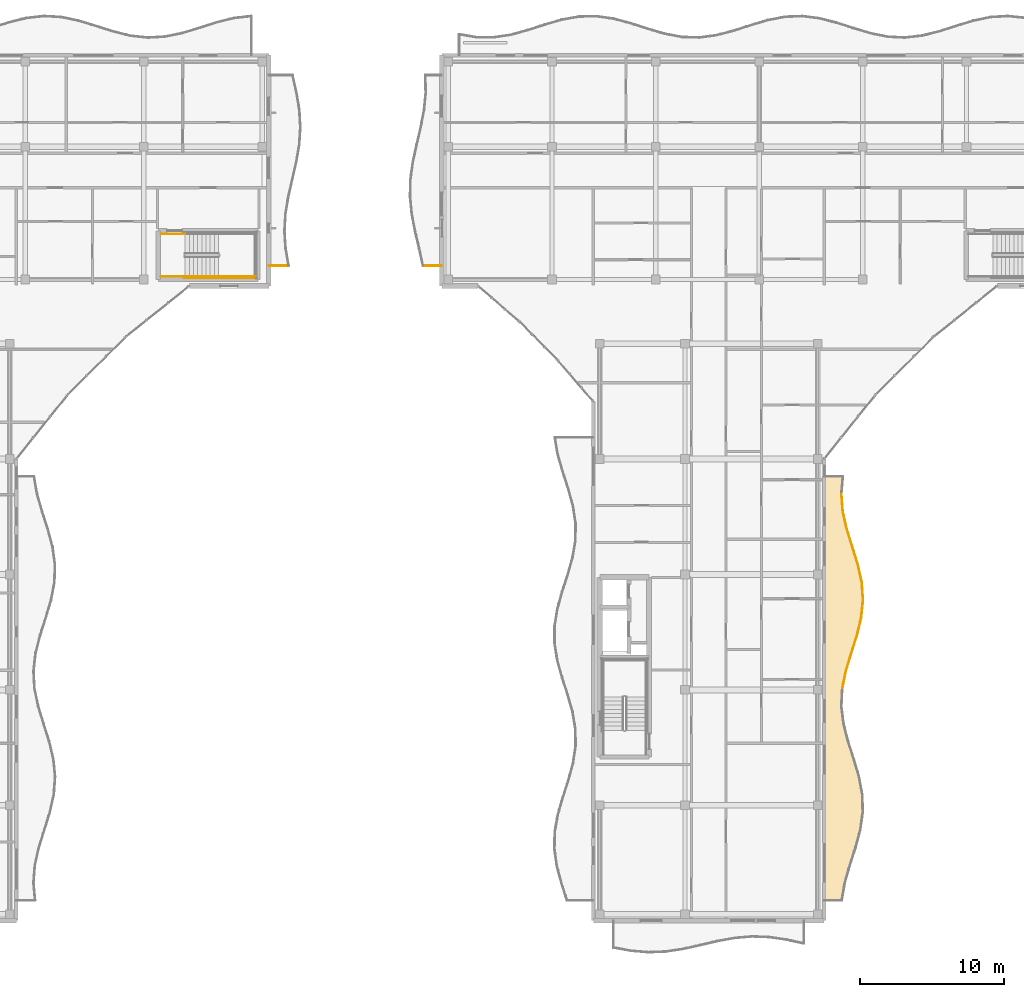
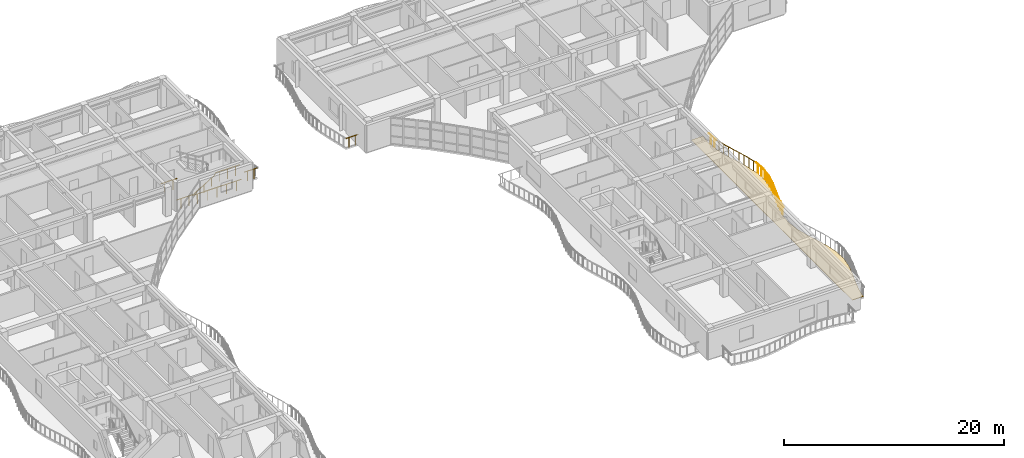
# One storey, part 64 of 76: 18 railings, 1 covering.
"""IFC4 building model written with IfcOpenShell, lengths in metres."""

from ifc_helpers import new_model, si_unit, direction, frame, origin, origin_2d, place, context, subcontext, project, spatial, polyline, circle, outline, extrude, material, layer, layer_set, type_object, element, save


model = new_model("IFC4")

# Units and contexts
model_context = context("Model", 3, precision=1e-05, world=origin(), true_north=direction((0.0, 1.0)))
body_context = subcontext(model_context, "Body", "Model", "MODEL_VIEW")
ifc_project = project(units=[si_unit("LENGTHUNIT", "METRE"), si_unit("AREAUNIT", "SQUARE_METRE"), si_unit("VOLUMEUNIT", "CUBIC_METRE"), si_unit("PLANEANGLEUNIT", "RADIAN"), si_unit("MASSUNIT", "GRAM", prefix="KILO")], contexts=[model_context])

# Site, building, storey
site_placement = place(None, origin())
site = spatial("IfcSite", under=ifc_project, at=site_placement, CompositionType="ELEMENT")
building_placement = place(site_placement, origin())
building = spatial("IfcBuilding", under=site, at=building_placement, Name="Keldmere Railside Commons", CompositionType="ELEMENT")
storey_placement = place(building_placement, frame((0.0, 0.0, 13.760009765625)))
storey = spatial("IfcBuildingStorey", under=building, at=storey_placement, Name="L04", CompositionType="ELEMENT", Elevation=13.760009765625)

# Railings
ifc_material_1 = material(Name="Steel F-24 (S235)", Category="steel")
railing_type_1 = type_object("IfcRailingType", Name="Balcony & Terrace Steel Balustrade 1100", PredefinedType="BALUSTRADE", material=ifc_material_1)
railing_1_placement = place(storey_placement, frame((81.5, 101.39990234375, 0.0)))
element("IfcRailing", 1, at=railing_1_placement, inside=storey, type_object=railing_type_1, Name="GR-1 GRD-L04-1267", PredefinedType="BALUSTRADE", context=body_context, shape_type="SweptSolid", body=[
    extrude(circle(Radius=0.02392578125, at=origin_2d()), frame((0.0, 0.0, 1.076171875), z_axis=(1.0, 0.0, 0.0), x_axis=(0.0, 1.0, 0.0)), (0.0, 0.0, 1.0), 1.38232421875),
    extrude(circle(Radius=0.02099609375, at=origin_2d()), frame((0.345703125, 0.0, 0.0)), (0.0, 0.0, 1.0), 1.048095703125),
    extrude(circle(Radius=0.02099609375, at=origin_2d()), frame((1.03662109375, 0.0, 0.0)), (0.0, 0.0, 1.0), 1.048095703125),
])
railing_2_placement = place(storey_placement, frame((121.2646484375, 72.10009765625, 0.0)))
element("IfcRailing", 2, at=railing_2_placement, inside=storey, type_object=railing_type_1, Name="GR-1 GRD-L04-2287", PredefinedType="BALUSTRADE", context=body_context, shape_type="SweptSolid", body=[
    extrude(circle(Radius=0.02392578125, at=origin_2d()), frame((0.0, 0.0, 1.076171875), z_axis=(0.200732735089, 0.979646042744, 0.0), x_axis=(-0.979646042744, 0.200732735089, 0.0)), (0.0, 0.0, 1.0), 1.250244140625),
    extrude(circle(Radius=0.02099609375, at=origin_2d()), frame((0.062744140625, 0.30615234375, 0.0)), (0.0, 0.0, 1.0), 1.048095703125),
    extrude(circle(Radius=0.02099609375, at=origin_2d()), frame((0.188232421875, 0.918701171875, 0.0)), (0.0, 0.0, 1.0), 1.048095703125),
])
railing_3_placement = place(storey_placement, frame((121.515625, 73.324951171875, 0.0)))
element("IfcRailing", 3, at=railing_3_placement, inside=storey, type_object=railing_type_1, Name="GR-1 GRD-L04-2288", PredefinedType="BALUSTRADE", context=body_context, shape_type="SweptSolid", body=[
    extrude(circle(Radius=0.02392578125, at=origin_2d()), frame((0.0, 0.0, 1.076171875), z_axis=(0.290600075057, 0.956844604091, 0.0), x_axis=(-0.956844604091, 0.290600075057, 0.0)), (0.0, 0.0, 1.0), 1.2802734375),
    extrude(circle(Radius=0.02099609375, at=origin_2d()), frame((0.093017578125, 0.30615234375, 0.0)), (0.0, 0.0, 1.0), 1.048095703125),
    extrude(circle(Radius=0.02099609375, at=origin_2d()), frame((0.279052734375, 0.9189453125, 0.0)), (0.0, 0.0, 1.0), 1.048095703125),
])
railing_4_placement = place(storey_placement, frame((121.8876953125, 74.550048828125, 0.0)))
element("IfcRailing", 4, at=railing_4_placement, inside=storey, type_object=railing_type_1, Name="GR-1 GRD-L04-2289", PredefinedType="BALUSTRADE", context=body_context, shape_type="SweptSolid", body=[
    extrude(circle(Radius=0.02392578125, at=origin_2d()), frame((0.0, 0.0, 1.076171875), z_axis=(0.302976274331, 0.95299809926, 0.0), x_axis=(-0.95299809926, 0.302976274331, 0.0)), (0.0, 0.0, 1.0), 1.28515625),
    extrude(circle(Radius=0.02099609375, at=origin_2d()), frame((0.097412109375, 0.30615234375, 0.0)), (0.0, 0.0, 1.0), 1.048095703125),
    extrude(circle(Radius=0.02099609375, at=origin_2d()), frame((0.2919921875, 0.918701171875, 0.0)), (0.0, 0.0, 1.0), 1.048095703125),
])
railing_5_placement = place(storey_placement, frame((122.277099609375, 75.77490234375, 0.0)))
element("IfcRailing", 5, at=railing_5_placement, inside=storey, type_object=railing_type_1, Name="GR-1 GRD-L04-2290", PredefinedType="BALUSTRADE", context=body_context, shape_type="SweptSolid", body=[
    extrude(circle(Radius=0.02392578125, at=origin_2d()), frame((0.0, 0.0, 1.076171875), z_axis=(0.236425693097, 0.971649572451, 0.0), x_axis=(-0.971649572451, 0.236425693097, 0.0)), (0.0, 0.0, 1.0), 1.2607421875),
    extrude(circle(Radius=0.02099609375, at=origin_2d()), frame((0.074462890625, 0.30615234375, 0.0)), (0.0, 0.0, 1.0), 1.048095703125),
    extrude(circle(Radius=0.02099609375, at=origin_2d()), frame((0.2236328125, 0.9189453125, 0.0)), (0.0, 0.0, 1.0), 1.048095703125),
])
railing_6_placement = place(storey_placement, frame((122.5751953125, 77.0, 0.0)))
element("IfcRailing", 6, at=railing_6_placement, inside=storey, type_object=railing_type_1, Name="GR-1 GRD-L04-2291", PredefinedType="BALUSTRADE", context=body_context, shape_type="SweptSolid", body=[
    extrude(circle(Radius=0.02392578125, at=origin_2d()), frame((0.0, 0.0, 1.076171875), z_axis=(0.100524478832, 0.994934585365, 0.0), x_axis=(-0.994934585365, 0.100524478832, 0.0)), (0.0, 0.0, 1.0), 1.2314453125),
    extrude(circle(Radius=0.02099609375, at=origin_2d()), frame((0.031005859375, 0.30615234375, 0.0)), (0.0, 0.0, 1.0), 1.048095703125),
    extrude(circle(Radius=0.02099609375, at=origin_2d()), frame((0.0927734375, 0.9189453125, 0.0)), (0.0, 0.0, 1.0), 1.048095703125),
])
railing_7_placement = place(storey_placement, frame((122.698974609375, 78.22509765625, 0.0)))
element("IfcRailing", 7, at=railing_7_placement, inside=storey, type_object=railing_type_1, Name="GR-1 GRD-L04-2292", PredefinedType="BALUSTRADE", context=body_context, shape_type="SweptSolid", body=[
    extrude(circle(Radius=0.02392578125, at=origin_2d()), frame((0.0, 0.0, 1.076171875), z_axis=(-0.069197892687, 0.997602952906, 0.0), x_axis=(-0.997602952906, -0.069197892687, 0.0)), (0.0, 0.0, 1.0), 1.227783203125),
    extrude(circle(Radius=0.02099609375, at=origin_2d()), frame((-0.021240234375, 0.30615234375, 0.0)), (0.0, 0.0, 1.0), 1.048095703125),
    extrude(circle(Radius=0.02099609375, at=origin_2d()), frame((-0.063720703125, 0.918701171875, 0.0)), (0.0, 0.0, 1.0), 1.048095703125),
])
railing_8_placement = place(storey_placement, frame((122.614013671875, 79.449951171875, 0.0)))
element("IfcRailing", 8, at=railing_8_placement, inside=storey, type_object=railing_type_1, Name="GR-1 GRD-L04-2293", PredefinedType="BALUSTRADE", context=body_context, shape_type="SweptSolid", body=[
    extrude(circle(Radius=0.02392578125, at=origin_2d()), frame((0.0, 0.0, 1.076171875), z_axis=(-0.21561159058, 0.976479207156, 0.0), x_axis=(-0.976479207156, -0.21561159058, 0.0)), (0.0, 0.0, 1.0), 1.254638671875),
    extrude(circle(Radius=0.02099609375, at=origin_2d()), frame((-0.067626953125, 0.30615234375, 0.0)), (0.0, 0.0, 1.0), 1.048095703125),
    extrude(circle(Radius=0.02099609375, at=origin_2d()), frame((-0.202880859375, 0.9189453125, 0.0)), (0.0, 0.0, 1.0), 1.048095703125),
])
railing_9_placement = place(storey_placement, frame((122.343505859375, 80.675048828125, 0.0)))
element("IfcRailing", 9, at=railing_9_placement, inside=storey, type_object=railing_type_1, Name="GR-1 GRD-L04-2294", PredefinedType="BALUSTRADE", context=body_context, shape_type="SweptSolid", body=[
    extrude(circle(Radius=0.02392578125, at=origin_2d()), frame((0.0, 0.0, 1.076171875), z_axis=(-0.296399214872, 0.955064136811, 0.0), x_axis=(-0.955064136811, -0.296399214872, 0.0)), (0.0, 0.0, 1.0), 1.282470703125),
    extrude(circle(Radius=0.02099609375, at=origin_2d()), frame((-0.094970703125, 0.30615234375, 0.0)), (0.0, 0.0, 1.0), 1.048095703125),
    extrude(circle(Radius=0.02099609375, at=origin_2d()), frame((-0.28515625, 0.918701171875, 0.0)), (0.0, 0.0, 1.0), 1.048095703125),
])
railing_10_placement = place(storey_placement, frame((121.96337890625, 81.89990234375, 0.0)))
element("IfcRailing", 10, at=railing_10_placement, inside=storey, type_object=railing_type_1, Name="GR-1 GRD-L04-2295", PredefinedType="BALUSTRADE", context=body_context, shape_type="SweptSolid", body=[
    extrude(circle(Radius=0.02392578125, at=origin_2d()), frame((0.0, 0.0, 1.076171875), z_axis=(-0.298946264638, 0.954269946535, 0.0), x_axis=(-0.954269946535, -0.298946264638, 0.0)), (0.0, 0.0, 1.0), 1.28369140625),
    extrude(circle(Radius=0.02099609375, at=origin_2d()), frame((-0.095947265625, 0.30615234375, 0.0)), (0.0, 0.0, 1.0), 1.048095703125),
    extrude(circle(Radius=0.02099609375, at=origin_2d()), frame((-0.287841796875, 0.9189453125, 0.0)), (0.0, 0.0, 1.0), 1.048095703125),
])
railing_11_placement = place(storey_placement, frame((121.57958984375, 83.125, 0.0)))
element("IfcRailing", 11, at=railing_11_placement, inside=storey, type_object=railing_type_1, Name="GR-1 GRD-L04-2296", PredefinedType="BALUSTRADE", context=body_context, shape_type="SweptSolid", body=[
    extrude(circle(Radius=0.02392578125, at=origin_2d()), frame((0.0, 0.0, 1.076171875), z_axis=(-0.223199280244, 0.974772835741, 0.0), x_axis=(-0.974772835741, -0.223199280244, 0.0)), (0.0, 0.0, 1.0), 1.2568359375),
    extrude(circle(Radius=0.02099609375, at=origin_2d()), frame((-0.070068359375, 0.30615234375, 0.0)), (0.0, 0.0, 1.0), 1.048095703125),
    extrude(circle(Radius=0.02099609375, at=origin_2d()), frame((-0.21044921875, 0.9189453125, 0.0)), (0.0, 0.0, 1.0), 1.048095703125),
])
railing_12_placement = place(storey_placement, frame((121.299072265625, 84.35009765625, 0.0)))
element("IfcRailing", 12, at=railing_12_placement, inside=storey, type_object=railing_type_1, Name="GR-1 GRD-L04-2297", PredefinedType="BALUSTRADE", context=body_context, shape_type="SweptSolid", body=[
    extrude(circle(Radius=0.02392578125, at=origin_2d()), frame((0.0, 0.0, 1.076171875), z_axis=(-0.080463783309, 0.996757532992, 0.0), x_axis=(-0.996757532992, -0.080463783309, 0.0)), (0.0, 0.0, 1.0), 1.228759765625),
    extrude(circle(Radius=0.02099609375, at=origin_2d()), frame((-0.024658203125, 0.30615234375, 0.0)), (0.0, 0.0, 1.0), 1.048095703125),
    extrude(circle(Radius=0.02099609375, at=origin_2d()), frame((-0.07421875, 0.918701171875, 0.0)), (0.0, 0.0, 1.0), 1.048095703125),
])
railing_13_placement = place(storey_placement, frame((93.5, 101.39990234375, 0.0)))
element("IfcRailing", 13, at=railing_13_placement, inside=storey, type_object=railing_type_1, Name="GR-1 GRD-L04-2342", PredefinedType="BALUSTRADE", context=body_context, shape_type="SweptSolid", body=[
    extrude(circle(Radius=0.02392578125, at=origin_2d()), frame((0.0, 0.0, 1.076171875), z_axis=(-1.0, 0.0, 0.0), x_axis=(0.0, -1.0, 0.0)), (0.0, 0.0, 1.0), 1.302734375),
    extrude(circle(Radius=0.02099609375, at=origin_2d()), frame((-0.32568359375, 0.0, 0.0)), (0.0, 0.0, 1.0), 1.048095703125),
    extrude(circle(Radius=0.02099609375, at=origin_2d()), frame((-0.97705078125, 0.0, 0.0)), (0.0, 0.0, 1.0), 1.048095703125),
])
railing_type_2 = type_object("IfcRailingType", Name="Stair Well Steel Guardrail 1100", PredefinedType="BALUSTRADE", material=ifc_material_1)
railing_14_placement = place(storey_placement, frame((78.02001953125, 100.64990234375, 1.60009765625)))
element("IfcRailing", 14, at=railing_14_placement, inside=storey, type_object=railing_type_2, Name="L04 ST-C2 stair guard 3", PredefinedType="BALUSTRADE", context=body_context, shape_type="SweptSolid", body=[
    extrude(circle(Radius=0.02392578125, at=origin_2d()), frame((0.0, 0.0, 1.076171875), z_axis=(1.0, 0.0, 0.0), x_axis=(0.0, 1.0, 0.0)), (0.0, 0.0, 1.0), 2.580078125),
    extrude(circle(Radius=0.02099609375, at=origin_2d()), frame((0.429931640625, 0.0, 0.0)), (0.0, 0.0, 1.0), 1.048095703125),
    extrude(circle(Radius=0.02099609375, at=origin_2d()), frame((1.2900390625, 0.0, 0.0)), (0.0, 0.0, 1.0), 1.048095703125),
    extrude(circle(Radius=0.02099609375, at=origin_2d()), frame((2.150146484375, 0.0, 0.0)), (0.0, 0.0, 1.0), 1.048095703125),
])
for number, where, name in (
    (15, (74.0, 100.64990234375, 0.0), "L04 ST-C2 stair guard 8"),
    (16, (74.0, 103.60009765625, 0.0), "L04 ST-C2 stair guard 9"),
):
    element("IfcRailing", number, at=place(storey_placement, frame(where)), inside=storey, type_object=railing_type_2, Name=name, PredefinedType="BALUSTRADE", context=body_context, shape_type="SweptSolid", body=[
        extrude(circle(Radius=0.02392578125, at=origin_2d()), frame((0.0, 0.0, 1.076171875), z_axis=(1.0, 0.0, 0.0), x_axis=(0.0, 1.0, 0.0)), (0.0, 0.0, 1.0), 1.699951171875),
        extrude(circle(Radius=0.02099609375, at=origin_2d()), frame((0.425048828125, 0.0, 0.0)), (0.0, 0.0, 1.0), 1.048095703125),
        extrude(circle(Radius=0.02099609375, at=origin_2d()), frame((1.27490234375, 0.0, 0.0)), (0.0, 0.0, 1.0), 1.048095703125),
    ])
railing_15_placement = place(storey_placement, frame((75.60009765625, 100.550048828125, 0.0)))
element("IfcRailing", 17, at=railing_15_placement, inside=storey, type_object=railing_type_2, Name="L04 ST-C2 stair guard 10", PredefinedType="BALUSTRADE", context=body_context, shape_type="SweptSolid", body=[
    extrude(circle(Radius=0.02392578125, at=origin_2d()), frame((0.0, 0.0, 1.076171875), z_axis=(1.0, 0.0, 0.0), x_axis=(0.0, 1.0, 0.0)), (0.0, 0.0, 1.0), 5.099853515625),
    extrude(circle(Radius=0.02099609375, at=origin_2d()), frame((0.510009765625, 0.0, 0.0)), (0.0, 0.0, 1.0), 1.048095703125),
    extrude(circle(Radius=0.02099609375, at=origin_2d()), frame((1.530029296875, 0.0, 0.0)), (0.0, 0.0, 1.0), 1.048095703125),
    extrude(circle(Radius=0.02099609375, at=origin_2d()), frame((2.5498046875, 0.0, 0.0)), (0.0, 0.0, 1.0), 1.048095703125),
    extrude(circle(Radius=0.02099609375, at=origin_2d()), frame((3.56982421875, 0.0, 0.0)), (0.0, 0.0, 1.0), 1.048095703125),
    extrude(circle(Radius=0.02099609375, at=origin_2d()), frame((4.58984375, 0.0, 0.0)), (0.0, 0.0, 1.0), 1.048095703125),
])
railing_type_3 = type_object("IfcRailingType", Name="Wall-Mounted Tubular Steel Handrail 900", PredefinedType="HANDRAIL", material=ifc_material_1)
railing_16_placement = place(storey_placement, frame((75.699951171875, 100.64990234375, 0.177734375)))
element("IfcRailing", 18, at=railing_16_placement, inside=storey, type_object=railing_type_3, Name="L04 ST-C2 stair handrail 1", PredefinedType="HANDRAIL", context=body_context, shape_type="SweptSolid", body=[
    extrude(circle(Radius=0.02392578125, at=origin_2d()), frame((0.0, 0.0, 0.8759765625), z_axis=(0.852538067394, 0.0, 0.522665135287), x_axis=(0.0, 1.0, 0.0)), (0.0, 0.0, 1.0), 2.721435546875),
    extrude(circle(Radius=0.02099609375, at=origin_2d()), frame((0.38671875, 0.0, 0.237060546875)), (0.0, 0.0, 1.0), 0.847900390625),
    extrude(circle(Radius=0.02099609375, at=origin_2d()), frame((1.16015625, 0.0, 0.711181640625)), (0.0, 0.0, 1.0), 0.847900390625),
    extrude(circle(Radius=0.02099609375, at=origin_2d()), frame((1.933349609375, 0.0, 1.185302734375)), (0.0, 0.0, 1.0), 0.847900390625),
])

# Covering
ifc_material_2 = material(Name="White Precast Concrete C35/45", Category="concrete")
ifc_layer = layer(ifc_material_2, 0.044921875, Name="White Architectural Balcony Ribbon Cladding 45")
ifc_layer_set = layer_set([ifc_layer], Name="White Precast Concrete C35/45")
covering_type = type_object("IfcCoveringType", Name="White Architectural Balcony Ribbon Cladding 45", PredefinedType="FLOORING", material=ifc_layer_set)
covering_placement = place(storey_placement, origin())
element("IfcCovering", 19, at=covering_placement, inside=storey, type_object=covering_type, Name="CLG-WB B L04 CE White Balcony Ribbon", PredefinedType="FLOORING", context=body_context, shape_type="SweptSolid", body=[
    extrude(outline(polyline([(121.400146484375, 58.631591796875), (121.40087890625, 58.635986328125), (121.752197265625, 59.861083984375), (121.75244140625, 59.8623046875), (122.147705078125, 61.08642578125), (122.4765625, 62.30810546875), (122.647705078125, 63.527099609375), (122.61376953125, 64.74560546875), (122.384521484375, 65.965576171875), (122.02294921875, 67.188232421875), (121.629638671875, 68.412841796875), (121.629150390625, 68.4150390625), (121.314453125, 69.64013671875), (121.3134765625, 69.645263671875), (121.165283203125, 70.8701171875), (121.1650390625, 70.87353515625), (121.1650390625, 70.876953125), (121.224609375, 72.101806640625), (121.22509765625, 72.10498046875), (121.2255859375, 72.10791015625), (121.476318359375, 73.3330078125), (121.477294921875, 73.336669921875), (121.849365234375, 74.5615234375), (121.849609375, 74.56201171875), (122.238525390625, 75.785888671875), (122.535888671875, 77.0068359375), (122.658935546875, 78.2255859375), (122.57421875, 79.4443359375), (122.3046875, 80.664794921875), (121.92529296875, 81.88818359375), (121.541259765625, 83.113037109375), (121.54052734375, 83.1162109375), (121.260009765625, 84.341064453125), (121.259033203125, 84.3466796875), (121.16015625, 85.57177734375), (121.16015625, 85.5751953125), (121.160400390625, 85.57861328125), (121.2666015625, 86.760009765625), (120.0400390625, 86.760009765625), (120.0400390625, 57.43994140625), (121.197021484375, 57.43994140625), (121.400146484375, 58.631591796875)])), origin(), (0.0, 0.0, 1.0), 0.044921875),
])

save(model, "model.ifc")
